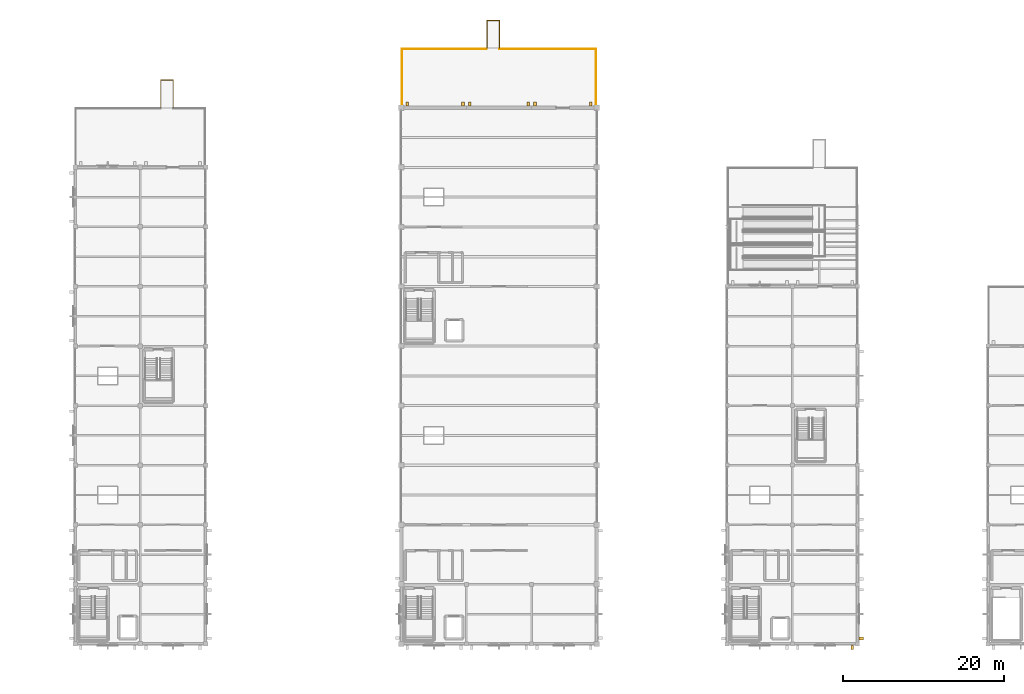
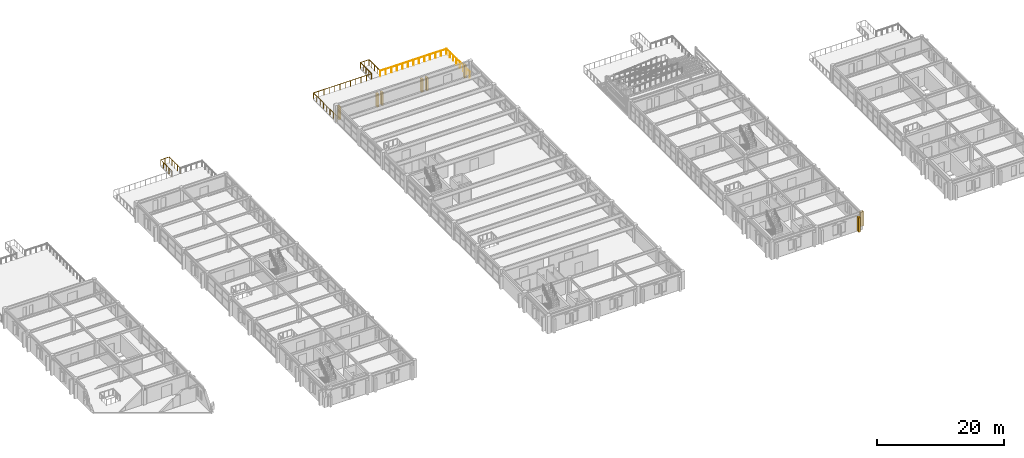
# One storey, part 92 of 93: 8 shading devices, 4 railings.
"""IFC4 building model written with IfcOpenShell, lengths in metres."""

import ifcopenshell
import ifcopenshell.guid

model = None  # the IFC model being written
_history = None  # IfcOwnerHistory: only IFC2X3 demands one
_inside = {}  # id of a spatial element -> (the spatial element, [elements in it])
_under = {}  # id of a project, library or spatial element -> (it, [spatial elements below it])
_declared = {}  # id of a project -> (the project, [libraries it declares])
_typed = {}  # id of a type object -> (the type object, [elements of that type])
_made_of = {}  # id of a material, layer set ... -> (it, [elements and type objects made of it])


def new_model(schema):
    """Start an empty IFC model of exactly this schema.

    Asked for "IFC4X3", IfcOpenShell would pick the latest addendum, in which some entities
    have other attributes; the version numbers below select the first issue.
    IFC2X3 requires an IfcOwnerHistory on every rooted entity: one is made here for all.
    """
    global model, _history
    if schema == "IFC4X3":
        model = ifcopenshell.file(schema_version=(4, 3, 0, 0))
    else:
        model = ifcopenshell.file(schema=schema)
    _inside.clear()
    _under.clear()
    _declared.clear()
    _typed.clear()
    _made_of.clear()
    _history = None
    if model.schema == "IFC2X3":
        org = make("IfcOrganization", Name="unknown")
        user = make(
            "IfcPersonAndOrganization",
            ThePerson=make("IfcPerson", FamilyName="unknown"),
            TheOrganization=org,
        )
        app = make(
            "IfcApplication",
            ApplicationDeveloper=org,
            Version="unknown",
            ApplicationFullName="unknown",
            ApplicationIdentifier="unknown",
        )
        _history = make(
            "IfcOwnerHistory",
            OwningUser=user,
            OwningApplication=app,
            ChangeAction="ADDED",
            CreationDate=0,
        )
    return model


def make(cls, **values):
    """One entity of the class cls with the attributes given. An attribute that is None is left unset."""
    return model.create_entity(
        cls, **{name: value for name, value in values.items() if value is not None}
    )


def rooted(cls, **values):
    """An entity with a GlobalId (a new one), such as an element, a storey or a relation."""
    return make(cls, GlobalId=ifcopenshell.guid.new(), OwnerHistory=_history, **values)


def si_unit(unit_type, name, prefix=None):
    """IfcSIUnit, for example si_unit("LENGTHUNIT", "METRE", prefix="MILLI")."""
    return make("IfcSIUnit", UnitType=unit_type, Prefix=prefix, Name=name)


def assignment(units):
    """IfcUnitAssignment: the units of a project."""
    return None if units is None else make("IfcUnitAssignment", Units=units)


def point(xyz):
    """IfcCartesianPoint."""
    return None if xyz is None else make("IfcCartesianPoint", Coordinates=xyz)


def direction(xyz):
    """IfcDirection."""
    return None if xyz is None else make("IfcDirection", DirectionRatios=xyz)


def frame(location, z_axis=None, x_axis=None):
    """IfcAxis2Placement3D, a coordinate frame: its origin and axes. An axis left out is left unset."""
    return make(
        "IfcAxis2Placement3D",
        Location=point(location),
        Axis=direction(z_axis),
        RefDirection=direction(x_axis),
    )


def frame_2d(location, x_axis=None):
    """IfcAxis2Placement2D, a coordinate frame in the plane: its origin and x axis."""
    return make(
        "IfcAxis2Placement2D", Location=point(location), RefDirection=direction(x_axis)
    )


def origin():
    """The frame at (0, 0, 0) with its axes left unset."""
    return frame((0.0, 0.0, 0.0))


def origin_2d():
    """The frame at (0, 0) in the plane with its x axis left unset."""
    return frame_2d((0.0, 0.0))


def place(relative_to, where):
    """IfcLocalPlacement: puts the frame where relative to a parent placement (None: the world)."""
    return make(
        "IfcLocalPlacement", PlacementRelTo=relative_to, RelativePlacement=where
    )


def context(
    kind, dimensions, precision=None, world=None, true_north=None, identifier=None
):
    """IfcGeometricRepresentationContext, for example the 3D "Model" context."""
    return make(
        "IfcGeometricRepresentationContext",
        ContextIdentifier=identifier,
        ContextType=kind,
        CoordinateSpaceDimension=dimensions,
        Precision=precision,
        WorldCoordinateSystem=world,
        TrueNorth=true_north,
    )


def subcontext(parent, identifier, kind, view, scale=None):
    """IfcGeometricRepresentationSubContext, for example "Body" below "Model"."""
    return make(
        "IfcGeometricRepresentationSubContext",
        ContextIdentifier=identifier,
        ContextType=kind,
        ParentContext=parent,
        TargetScale=scale,
        TargetView=view,
    )


def project(units=None, contexts=None):
    """IfcProject with its units and contexts."""
    return rooted(
        "IfcProject",
        Name="project",
        RepresentationContexts=contexts,
        UnitsInContext=assignment(units),
    )


def spatial(cls, under=None, at=None, **own):
    """A site, building, storey or space (cls), placed at a placement, below another one or the project."""
    s = rooted(cls, ObjectPlacement=at, **own)
    if under is not None:
        _under.setdefault(under.id(), (under, []))[1].append(s)
    return s


def profile(cls, at=None, kind="AREA", **sizes):
    """A parametric profile (cls). Its sizes go by their IFC names, for example OverallWidth=200.0."""
    return make(cls, ProfileType=kind, Position=at, **sizes)


def rectangle(**sizes):
    """IfcRectangleProfileDef."""
    return profile("IfcRectangleProfileDef", **sizes)


def circle(**sizes):
    """IfcCircleProfileDef."""
    return profile("IfcCircleProfileDef", **sizes)


def extrude(swept, where, along, depth):
    """IfcExtrudedAreaSolid: the profile swept, set in the frame where, extruded along a direction by depth."""
    return make(
        "IfcExtrudedAreaSolid",
        SweptArea=swept,
        Position=where,
        ExtrudedDirection=direction(along),
        Depth=depth,
    )


def shape(context_of_items, identifier, shape_type, items):
    """IfcShapeRepresentation: the items that make up one representation, for example the "Body"."""
    return make(
        "IfcShapeRepresentation",
        ContextOfItems=context_of_items,
        RepresentationIdentifier=identifier,
        RepresentationType=shape_type,
        Items=items,
    )


def material(Name=None, Category=None):
    """IfcMaterial."""
    return make("IfcMaterial", Name=Name, Category=Category)


def made_of(thing, what):
    """Note that an element or type object is made of a material, layer set ...; save() writes the relation."""
    if what is not None:
        _made_of.setdefault(what.id(), (what, []))[1].append(thing)
    return thing


def type_object(cls, material=None, **own):
    """A type object (cls), such as IfcWallType, which elements share."""
    return made_of(rooted(cls, **own), material)


def element(
    cls,
    number,
    at=None,
    inside=None,
    cuts=None,
    type_object=None,
    material=None,
    context=None,
    identifier="Body",
    shape_type=None,
    held_by="IfcProductDefinitionShape",
    body=None,
    shapes=None,
    **own,
):
    """One element of the class cls, such as IfcWall. Its Tag is "e" and its number.

    at: its placement. inside: the storey or other place that contains it. cuts: it is an
    opening in that element (IfcRelVoidsElement). A single representation is given by context,
    identifier, shape_type and body (its items); several are given by shapes. held_by: the class
    of the entity that holds the representations. save() writes the other relations.
    """
    e = rooted(cls, Tag="e%d" % number, ObjectPlacement=at, **own)
    if body is not None:
        shapes = [shape(context, identifier, shape_type, body)]
    if shapes is not None:
        e.Representation = make(held_by, Representations=shapes)
    if inside is not None:
        _inside.setdefault(inside.id(), (inside, []))[1].append(e)
    if cuts is not None:
        rooted(
            "IfcRelVoidsElement", RelatingBuildingElement=cuts, RelatedOpeningElement=e
        )
    if type_object is not None:
        _typed.setdefault(type_object.id(), (type_object, []))[1].append(e)
    return made_of(e, material)


def aggregate(whole, parts):
    """IfcRelAggregates: a whole, such as a stair, and the parts it consists of."""
    return rooted("IfcRelAggregates", RelatingObject=whole, RelatedObjects=parts)


def save(model, path):
    """Write the relations noted so far, then the file.

    IfcRelAggregates (storeys below a building ...), IfcRelContainedInSpatialStructure (elements
    in a storey), IfcRelDefinesByType, IfcRelAssociatesMaterial and IfcRelDeclares: one each for
    every whole, place, type object, material and project.
    """
    for whole, parts in _under.values():
        aggregate(whole, parts)
    for where, things in _inside.values():
        rooted(
            "IfcRelContainedInSpatialStructure",
            RelatedElements=things,
            RelatingStructure=where,
        )
    for kind, things in _typed.values():
        rooted("IfcRelDefinesByType", RelatedObjects=things, RelatingType=kind)
    for what, things in _made_of.values():
        rooted("IfcRelAssociatesMaterial", RelatedObjects=things, RelatingMaterial=what)
    for by, libraries in _declared.values():
        rooted("IfcRelDeclares", RelatingContext=by, RelatedDefinitions=libraries)
    model.write(path)


model = new_model("IFC4")

# Units and contexts
model_context = context("Model", 3, precision=1e-05, world=origin(), true_north=direction((0.0, 1.0)))
body_context = subcontext(model_context, "Body", "Model", "MODEL_VIEW")
ifc_project = project(units=[si_unit("LENGTHUNIT", "METRE"), si_unit("AREAUNIT", "SQUARE_METRE"), si_unit("VOLUMEUNIT", "CUBIC_METRE"), si_unit("PLANEANGLEUNIT", "RADIAN"), si_unit("MASSUNIT", "GRAM", prefix="KILO")], contexts=[model_context])

# Site, building, storey
site_placement = place(None, origin())
site = spatial("IfcSite", under=ifc_project, at=site_placement, CompositionType="ELEMENT")
building_placement = place(site_placement, origin())
building = spatial("IfcBuilding", under=site, at=building_placement, Name="Cimatlan Art Gallery", CompositionType="ELEMENT")
storey_placement = place(building_placement, frame((0.0, 0.0, 13.800048828125)))
storey = spatial("IfcBuildingStorey", under=building, at=storey_placement, Name="L03", CompositionType="ELEMENT", Elevation=13.800048828125)

# Railings
ifc_material_1 = material(Name="Anodised bronze and laminated glass balustrade", Category="glass")
railing_type = type_object("IfcRailingType", Name="RL-BAL-EXT-1100", PredefinedType="BALUSTRADE", material=ifc_material_1)
railing_1_placement = place(storey_placement, frame((45.0400390625, 90.5, 0.0)))
element("IfcRailing", 1, at=railing_1_placement, inside=storey, type_object=railing_type, Name="RMP-TER-B2-GR-L5", PredefinedType="BALUSTRADE", context=body_context, shape_type="SweptSolid", body=[
    extrude(circle(Radius=0.02587890625, at=origin_2d()), frame((0.0, 0.0, 1.09423828125), z_axis=(0.0, 1.0, 0.0), x_axis=(-1.0, 0.0, 0.0)), (0.0, 0.0, 1.0), 3.449951171875),
    extrude(circle(Radius=0.02587890625, at=origin_2d()), frame((0.0, 3.449951171875, 1.09423828125), z_axis=(1.0, 0.0, 0.0), x_axis=(0.0, 1.0, 0.0)), (0.0, 0.0, 1.0), 1.550048828125),
    extrude(circle(Radius=0.02587890625, at=origin_2d()), frame((1.550048828125, 3.449951171875, 1.09423828125), z_axis=(0.0, -1.0, 0.0), x_axis=(1.0, 0.0, 0.0)), (0.0, 0.0, 1.0), 3.449951171875),
    extrude(circle(Radius=0.02099609375, at=origin_2d()), origin(), (0.0, 0.0, 1.0), 1.068115234375),
    extrude(circle(Radius=0.02099609375, at=origin_2d()), frame((0.0, 0.862548828125, 0.0)), (0.0, 0.0, 1.0), 1.068115234375),
    extrude(circle(Radius=0.02099609375, at=origin_2d()), frame((0.0, 1.72509765625, 0.0)), (0.0, 0.0, 1.0), 1.068115234375),
    extrude(circle(Radius=0.02099609375, at=origin_2d()), frame((0.0, 2.58740234375, 0.0)), (0.0, 0.0, 1.0), 1.068115234375),
    extrude(circle(Radius=0.02099609375, at=origin_2d()), frame((0.0, 3.449951171875, 0.0)), (0.0, 0.0, 1.0), 1.068115234375),
    extrude(circle(Radius=0.02099609375, at=origin_2d()), frame((0.77490234375, 3.449951171875, 0.0)), (0.0, 0.0, 1.0), 1.068115234375),
    extrude(circle(Radius=0.02099609375, at=origin_2d()), frame((1.550048828125, 3.449951171875, 0.0)), (0.0, 0.0, 1.0), 1.068115234375),
    extrude(circle(Radius=0.02099609375, at=origin_2d()), frame((1.550048828125, 2.58740234375, 0.0)), (0.0, 0.0, 1.0), 1.068115234375),
    extrude(circle(Radius=0.02099609375, at=origin_2d()), frame((1.550048828125, 1.72509765625, 0.0)), (0.0, 0.0, 1.0), 1.068115234375),
    extrude(circle(Radius=0.02099609375, at=origin_2d()), frame((1.550048828125, 0.862548828125, 0.0)), (0.0, 0.0, 1.0), 1.068115234375),
    extrude(circle(Radius=0.02099609375, at=origin_2d()), frame((1.550048828125, 0.0, 0.0)), (0.0, 0.0, 1.0), 1.068115234375),
])
railing_2_placement = place(storey_placement, frame((85.5400390625, 97.89990234375, 0.0)))
element("IfcRailing", 2, at=railing_2_placement, inside=storey, type_object=railing_type, Name="RMP-TER-B3-GR-L5", PredefinedType="BALUSTRADE", context=body_context, shape_type="SweptSolid", body=[
    extrude(circle(Radius=0.02587890625, at=origin_2d()), frame((0.0, 0.0, 1.09423828125), z_axis=(0.0, 1.0, 0.0), x_axis=(-1.0, 0.0, 0.0)), (0.0, 0.0, 1.0), 3.4501953125),
    extrude(circle(Radius=0.02587890625, at=origin_2d()), frame((0.0, 3.4501953125, 1.09423828125), z_axis=(1.0, 0.0, 0.0), x_axis=(0.0, 1.0, 0.0)), (0.0, 0.0, 1.0), 1.550048828125),
    extrude(circle(Radius=0.02587890625, at=origin_2d()), frame((1.550048828125, 3.4501953125, 1.09423828125), z_axis=(0.0, -1.0, 0.0), x_axis=(1.0, 0.0, 0.0)), (0.0, 0.0, 1.0), 3.4501953125),
    extrude(circle(Radius=0.02099609375, at=origin_2d()), origin(), (0.0, 0.0, 1.0), 1.068115234375),
    extrude(circle(Radius=0.02099609375, at=origin_2d()), frame((0.0, 0.862548828125, 0.0)), (0.0, 0.0, 1.0), 1.068115234375),
    extrude(circle(Radius=0.02099609375, at=origin_2d()), frame((0.0, 1.72509765625, 0.0)), (0.0, 0.0, 1.0), 1.068115234375),
    extrude(circle(Radius=0.02099609375, at=origin_2d()), frame((0.0, 2.587646484375, 0.0)), (0.0, 0.0, 1.0), 1.068115234375),
    extrude(circle(Radius=0.02099609375, at=origin_2d()), frame((0.0, 3.4501953125, 0.0)), (0.0, 0.0, 1.0), 1.068115234375),
    extrude(circle(Radius=0.02099609375, at=origin_2d()), frame((0.77490234375, 3.4501953125, 0.0)), (0.0, 0.0, 1.0), 1.068115234375),
    extrude(circle(Radius=0.02099609375, at=origin_2d()), frame((1.550048828125, 3.4501953125, 0.0)), (0.0, 0.0, 1.0), 1.068115234375),
    extrude(circle(Radius=0.02099609375, at=origin_2d()), frame((1.550048828125, 2.587646484375, 0.0)), (0.0, 0.0, 1.0), 1.068115234375),
    extrude(circle(Radius=0.02099609375, at=origin_2d()), frame((1.550048828125, 1.72509765625, 0.0)), (0.0, 0.0, 1.0), 1.068115234375),
    extrude(circle(Radius=0.02099609375, at=origin_2d()), frame((1.550048828125, 0.862548828125, 0.0)), (0.0, 0.0, 1.0), 1.068115234375),
    extrude(circle(Radius=0.02099609375, at=origin_2d()), frame((1.550048828125, 0.0, 0.0)), (0.0, 0.0, 1.0), 1.068115234375),
])
railing_3_placement = place(storey_placement, frame((74.97998046875, 90.52001953125, 0.0)))
element("IfcRailing", 3, at=railing_3_placement, inside=storey, type_object=railing_type, Name="GR-TER-19", PredefinedType="BALUSTRADE", context=body_context, shape_type="SweptSolid", body=[
    extrude(circle(Radius=0.02587890625, at=origin_2d()), frame((0.0, 0.0, 1.09423828125), z_axis=(0.0, 1.0, 0.0), x_axis=(-1.0, 0.0, 0.0)), (0.0, 0.0, 1.0), 7.300048828125),
    extrude(circle(Radius=0.02587890625, at=origin_2d()), frame((0.0, 7.300048828125, 1.09423828125), z_axis=(1.0, 0.0, 0.0), x_axis=(0.0, 1.0, 0.0)), (0.0, 0.0, 1.0), 10.550048828125),
    extrude(circle(Radius=0.02099609375, at=origin_2d()), origin(), (0.0, 0.0, 1.0), 1.068115234375),
    extrude(circle(Radius=0.02099609375, at=origin_2d()), frame((0.0, 1.04296875, 0.0)), (0.0, 0.0, 1.0), 1.068115234375),
    extrude(circle(Radius=0.02099609375, at=origin_2d()), frame((0.0, 2.085693359375, 0.0)), (0.0, 0.0, 1.0), 1.068115234375),
    extrude(circle(Radius=0.02099609375, at=origin_2d()), frame((0.0, 3.128662109375, 0.0)), (0.0, 0.0, 1.0), 1.068115234375),
    extrude(circle(Radius=0.02099609375, at=origin_2d()), frame((0.0, 4.17138671875, 0.0)), (0.0, 0.0, 1.0), 1.068115234375),
    extrude(circle(Radius=0.02099609375, at=origin_2d()), frame((0.0, 5.21435546875, 0.0)), (0.0, 0.0, 1.0), 1.068115234375),
    extrude(circle(Radius=0.02099609375, at=origin_2d()), frame((0.0, 6.257080078125, 0.0)), (0.0, 0.0, 1.0), 1.068115234375),
    extrude(circle(Radius=0.02099609375, at=origin_2d()), frame((0.0, 7.300048828125, 0.0)), (0.0, 0.0, 1.0), 1.068115234375),
    extrude(circle(Radius=0.02099609375, at=origin_2d()), frame((0.958984375, 7.300048828125, 0.0)), (0.0, 0.0, 1.0), 1.068115234375),
    extrude(circle(Radius=0.02099609375, at=origin_2d()), frame((1.918212890625, 7.300048828125, 0.0)), (0.0, 0.0, 1.0), 1.068115234375),
    extrude(circle(Radius=0.02099609375, at=origin_2d()), frame((2.877197265625, 7.300048828125, 0.0)), (0.0, 0.0, 1.0), 1.068115234375),
    extrude(circle(Radius=0.02099609375, at=origin_2d()), frame((3.83642578125, 7.300048828125, 0.0)), (0.0, 0.0, 1.0), 1.068115234375),
    extrude(circle(Radius=0.02099609375, at=origin_2d()), frame((4.79541015625, 7.300048828125, 0.0)), (0.0, 0.0, 1.0), 1.068115234375),
    extrude(circle(Radius=0.02099609375, at=origin_2d()), frame((5.754638671875, 7.300048828125, 0.0)), (0.0, 0.0, 1.0), 1.068115234375),
    extrude(circle(Radius=0.02099609375, at=origin_2d()), frame((6.713623046875, 7.300048828125, 0.0)), (0.0, 0.0, 1.0), 1.068115234375),
    extrude(circle(Radius=0.02099609375, at=origin_2d()), frame((7.6728515625, 7.300048828125, 0.0)), (0.0, 0.0, 1.0), 1.068115234375),
    extrude(circle(Radius=0.02099609375, at=origin_2d()), frame((8.6318359375, 7.300048828125, 0.0)), (0.0, 0.0, 1.0), 1.068115234375),
    extrude(circle(Radius=0.02099609375, at=origin_2d()), frame((9.591064453125, 7.300048828125, 0.0)), (0.0, 0.0, 1.0), 1.068115234375),
    extrude(circle(Radius=0.02099609375, at=origin_2d()), frame((10.550048828125, 7.300048828125, 0.0)), (0.0, 0.0, 1.0), 1.068115234375),
])
railing_4_placement = place(storey_placement, frame((87.10009765625, 97.820068359375, 0.0)))
element("IfcRailing", 4, at=railing_4_placement, inside=storey, type_object=railing_type, Name="GR-TER-20", PredefinedType="BALUSTRADE", context=body_context, shape_type="SweptSolid", body=[
    extrude(circle(Radius=0.02587890625, at=origin_2d()), frame((0.0, 0.0, 1.09423828125), z_axis=(1.0, 0.0, 0.0), x_axis=(0.0, 1.0, 0.0)), (0.0, 0.0, 1.0), 12.02001953125),
    extrude(circle(Radius=0.02587890625, at=origin_2d()), frame((12.02001953125, 0.0, 1.09423828125), z_axis=(0.0, -1.0, 0.0), x_axis=(1.0, 0.0, 0.0)), (0.0, 0.0, 1.0), 7.300048828125),
    extrude(circle(Radius=0.02099609375, at=origin_2d()), origin(), (0.0, 0.0, 1.0), 1.068115234375),
    extrude(circle(Radius=0.02099609375, at=origin_2d()), frame((1.001708984375, 0.0, 0.0)), (0.0, 0.0, 1.0), 1.068115234375),
    extrude(circle(Radius=0.02099609375, at=origin_2d()), frame((2.00341796875, 0.0, 0.0)), (0.0, 0.0, 1.0), 1.068115234375),
    extrude(circle(Radius=0.02099609375, at=origin_2d()), frame((3.0048828125, 0.0, 0.0)), (0.0, 0.0, 1.0), 1.068115234375),
    extrude(circle(Radius=0.02099609375, at=origin_2d()), frame((4.006591796875, 0.0, 0.0)), (0.0, 0.0, 1.0), 1.068115234375),
    extrude(circle(Radius=0.02099609375, at=origin_2d()), frame((5.00830078125, 0.0, 0.0)), (0.0, 0.0, 1.0), 1.068115234375),
    extrude(circle(Radius=0.02099609375, at=origin_2d()), frame((6.010009765625, 0.0, 0.0)), (0.0, 0.0, 1.0), 1.068115234375),
    extrude(circle(Radius=0.02099609375, at=origin_2d()), frame((7.01171875, 0.0, 0.0)), (0.0, 0.0, 1.0), 1.068115234375),
    extrude(circle(Radius=0.02099609375, at=origin_2d()), frame((8.013427734375, 0.0, 0.0)), (0.0, 0.0, 1.0), 1.068115234375),
    extrude(circle(Radius=0.02099609375, at=origin_2d()), frame((9.01513671875, 0.0, 0.0)), (0.0, 0.0, 1.0), 1.068115234375),
    extrude(circle(Radius=0.02099609375, at=origin_2d()), frame((10.0166015625, 0.0, 0.0)), (0.0, 0.0, 1.0), 1.068115234375),
    extrude(circle(Radius=0.02099609375, at=origin_2d()), frame((11.018310546875, 0.0, 0.0)), (0.0, 0.0, 1.0), 1.068115234375),
    extrude(circle(Radius=0.02099609375, at=origin_2d()), frame((12.02001953125, 0.0, 0.0)), (0.0, 0.0, 1.0), 1.068115234375),
    extrude(circle(Radius=0.02099609375, at=origin_2d()), frame((12.02001953125, -1.04296875, 0.0)), (0.0, 0.0, 1.0), 1.068115234375),
    extrude(circle(Radius=0.02099609375, at=origin_2d()), frame((12.02001953125, -2.085693359375, 0.0)), (0.0, 0.0, 1.0), 1.068115234375),
    extrude(circle(Radius=0.02099609375, at=origin_2d()), frame((12.02001953125, -3.128662109375, 0.0)), (0.0, 0.0, 1.0), 1.068115234375),
    extrude(circle(Radius=0.02099609375, at=origin_2d()), frame((12.02001953125, -4.17138671875, 0.0)), (0.0, 0.0, 1.0), 1.068115234375),
    extrude(circle(Radius=0.02099609375, at=origin_2d()), frame((12.02001953125, -5.21435546875, 0.0)), (0.0, 0.0, 1.0), 1.068115234375),
    extrude(circle(Radius=0.02099609375, at=origin_2d()), frame((12.02001953125, -6.257080078125, 0.0)), (0.0, 0.0, 1.0), 1.068115234375),
    extrude(circle(Radius=0.02099609375, at=origin_2d()), frame((12.02001953125, -7.300048828125, 0.0)), (0.0, 0.0, 1.0), 1.068115234375),
])

# Shading devices
ifc_material_2 = material(Name="Queretaro cantera limestone buttress pilaster", Category="masonry")
shading_device_type = type_object("IfcShadingDeviceType", Name="SHD-BUT-520", PredefinedType="USERDEFINED", material=ifc_material_2)
for number, where, z_axis, x_axis, name in (
    (5, (75.64892578125, 90.9580078125, 0.06005859375), (0.0, 0.0, 1.0), (1.0, 0.0, 0.0), "BUT-0393"),
    (6, (82.575927734375, 90.9580078125, 0.06005859375), (0.0, 0.0, 1.0), (1.0, 0.0, 0.0), "BUT-0394"),
    (7, (83.424072265625, 90.9580078125, 0.06005859375), (0.0, 0.0, 1.0), (1.0, 0.0, 0.0), "BUT-0397"),
    (8, (90.676025390625, 90.9580078125, 0.06005859375), (0.0, 0.0, 1.0), (1.0, 0.0, 0.0), "BUT-0398"),
    (9, (91.52392578125, 90.9580078125, 0.06005859375), (0.0, 0.0, 1.0), (1.0, 0.0, 0.0), "BUT-0405"),
    (10, (98.450927734375, 90.9580078125, 0.06005859375), (0.0, 0.0, 1.0), (1.0, 0.0, 0.0), "BUT-0406"),
):
    element("IfcShadingDevice", number, at=place(storey_placement, frame(where, z_axis=z_axis, x_axis=x_axis)), inside=storey, type_object=shading_device_type, Name=name, ObjectType="FIN", PredefinedType="USERDEFINED", context=body_context, shape_type="SweptSolid", body=[
        extrude(rectangle(XDim=0.340087890625, YDim=0.52001953125, at=origin_2d()), origin(), (0.0, 0.0, 1.0), 2.48291015625),
    ])
for number, where, z_axis, x_axis, name in (
    (11, (130.926025390625, 23.44189453125, 0.059814453125), (0.0, 0.0, 1.0), (-1.0, 0.0, 0.0), "BUT-0415"),
    (12, (132.05810546875, 24.573974609375, 0.059814453125), (0.0, 0.0, 1.0), (0.0, -1.0, 0.0), "BUT-0418"),
):
    element("IfcShadingDevice", number, at=place(storey_placement, frame(where, z_axis=z_axis, x_axis=x_axis)), inside=storey, type_object=shading_device_type, Name=name, ObjectType="FIN", PredefinedType="USERDEFINED", context=body_context, shape_type="SweptSolid", body=[
        extrude(rectangle(XDim=0.340087890625, YDim=0.52001953125, at=origin_2d()), origin(), (0.0, 0.0, 1.0), 2.7880859375),
    ])

save(model, "model.ifc")
